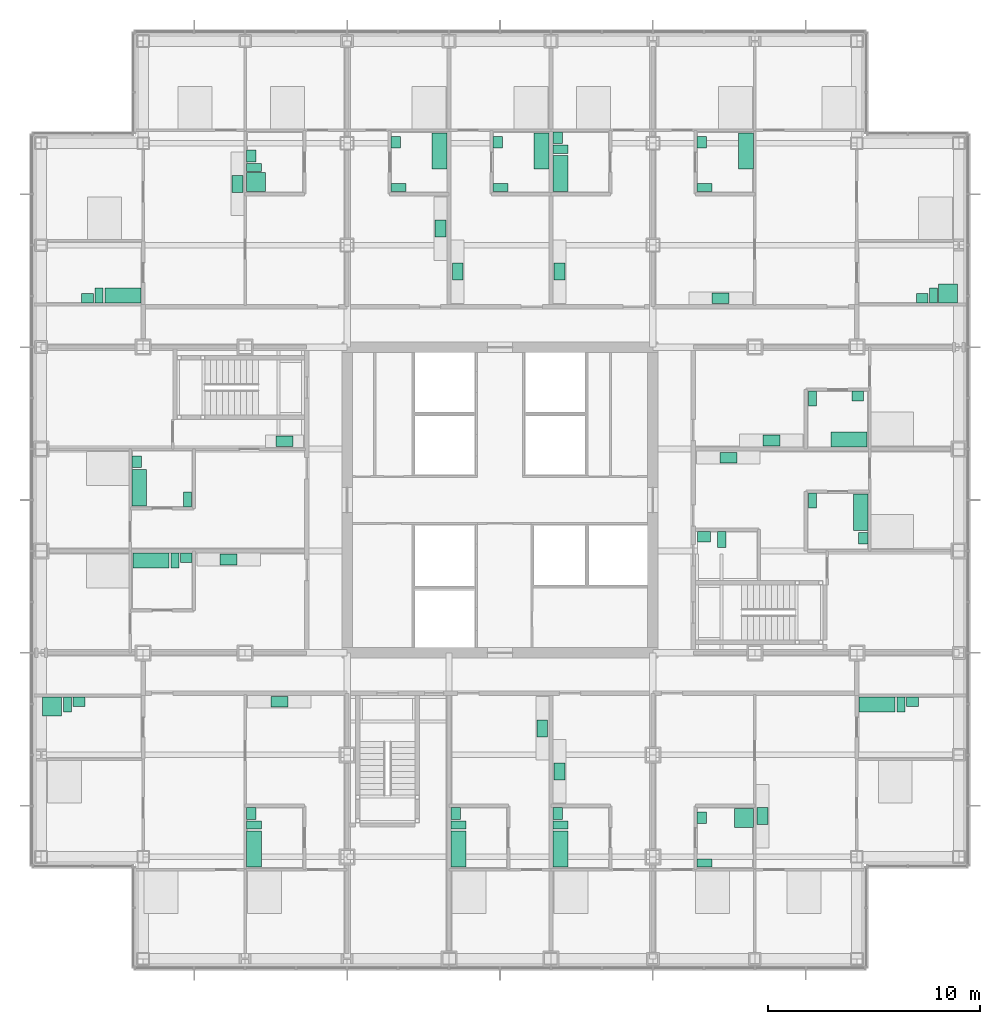
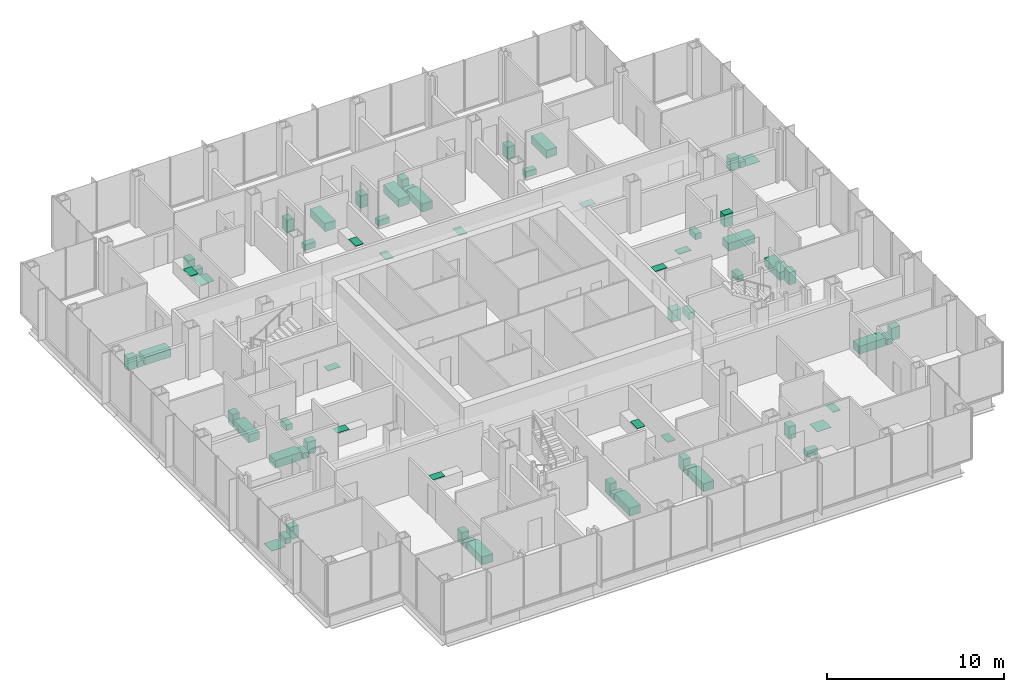
# One storey, part 20 of 21: 66 sanitary terminals.
"""IFC4 building model written with IfcOpenShell, lengths in metres."""

from ifc_helpers import new_model, si_unit, direction, frame, origin, origin_2d, place, context, subcontext, project, spatial, rectangle, extrude, material, type_object, element, save


model = new_model("IFC4")

# Units and contexts
model_context = context("Model", 3, precision=1e-05, world=origin(), true_north=direction((0.0, 1.0)))
body_context = subcontext(model_context, "Body", "Model", "MODEL_VIEW")
ifc_project = project(units=[si_unit("LENGTHUNIT", "METRE"), si_unit("AREAUNIT", "SQUARE_METRE"), si_unit("VOLUMEUNIT", "CUBIC_METRE"), si_unit("PLANEANGLEUNIT", "RADIAN"), si_unit("MASSUNIT", "GRAM", prefix="KILO")], contexts=[model_context])

# Site, building, storey
site_placement = place(None, origin())
site = spatial("IfcSite", under=ifc_project, at=site_placement, CompositionType="ELEMENT")
building_placement = place(site_placement, origin())
building = spatial("IfcBuilding", under=site, at=building_placement, Name="Kvirike Care Tower", CompositionType="ELEMENT")
storey_placement = place(building_placement, frame((0.0, 0.0, 48.0)))
storey = spatial("IfcBuildingStorey", under=building, at=storey_placement, Name="L12", CompositionType="ELEMENT", Elevation=48.0)

# Sanitary terminals
ifc_material_1 = material(Name="Vitreous china", Category="ceramic")
sanitary_terminal_type_1 = type_object("IfcSanitaryTerminalType", Name="ACCESSIBLE WASH BASIN 600 x 500", PredefinedType="WASHHANDBASIN", material=ifc_material_1)
sanitary_terminal_1_placement = place(storey_placement, frame((31.199951171875, 34.27294921875, 0.02001953125), z_axis=(0.0, 0.0, 1.0), x_axis=(1.0, 0.0, 0.0)))
element("IfcSanitaryTerminal", 1, at=sanitary_terminal_1_placement, inside=storey, type_object=sanitary_terminal_type_1, Name="Accessible wash basin L12-058", PredefinedType="WASHHANDBASIN", context=body_context, shape_type="SweptSolid", body=[
    extrude(rectangle(XDim=0.60009765625, YDim=0.5, at=origin_2d()), origin(), (0.0, 0.0, 1.0), 0.800048828125),
])
ifc_material_2 = material(Name="Vitreous china", Category="ceramic")
sanitary_terminal_type_2 = type_object("IfcSanitaryTerminalType", Name="ACCESSIBLE WC PAN 400 x 750", PredefinedType="TOILETPAN", material=ifc_material_2)
sanitary_terminal_2_placement = place(storey_placement, frame((32.050048828125, 34.14794921875, 0.02001953125), z_axis=(0.0, 0.0, 1.0), x_axis=(1.0, 0.0, 0.0)))
element("IfcSanitaryTerminal", 2, at=sanitary_terminal_2_placement, inside=storey, type_object=sanitary_terminal_type_2, Name="Accessible WC pan L12-058", PredefinedType="TOILETPAN", context=body_context, shape_type="SweptSolid", body=[
    extrude(rectangle(XDim=0.39990234375, YDim=0.75, at=origin_2d()), origin(), (0.0, 0.0, 1.0), 0.47998046875),
])
ifc_material_3 = material(Name="Enamelled steel", Category="steel")
sanitary_terminal_type_3 = type_object("IfcSanitaryTerminalType", Name="BATH 1700 x 700", PredefinedType="BATH", material=ifc_material_3)
for number, where, z_axis, x_axis, name in (
    (3, (10.011962890625, 19.56005859375, 0.02001953125), (0.0, 0.0, 1.0), (0.0, 1.0, 0.0), "Bath L12-006"),
    (4, (4.612060546875, 36.574951171875, 0.02001953125), (0.0, 0.0, 1.0), (0.0, 1.0, 0.0), "Bath L12-013"),
    (5, (5.159912109375, 33.14794921875, 0.02001953125), (0.0, 0.0, 1.0), (1.0, 0.0, 0.0), "Bath L12-017"),
    (6, (3.85009765625, 45.626953125, 0.02001953125), (0.0, 0.0, 1.0), (-1.0, 0.0, 0.0), "Bath L12-024"),
    (7, (19.652099609375, 19.56005859375, 0.02001953125), (0.0, 0.0, 1.0), (0.0, 1.0, 0.0), "Bath L12-031"),
    (8, (24.451904296875, 19.56005859375, 0.02001953125), (0.0, 0.0, 1.0), (0.0, 1.0, 0.0), "Bath L12-034"),
    (9, (24.451904296875, 51.375, 0.02001953125), (0.0, 0.0, 1.0), (0.0, 1.0, 0.0), "Bath L12-038"),
    (10, (23.548095703125, 52.43994140625, 0.02001953125), (0.0, 0.0, 1.0), (0.0, -1.0, 0.0), "Bath L12-041"),
    (11, (18.748046875, 52.43994140625, 0.02001953125), (0.0, 0.0, 1.0), (0.0, -1.0, 0.0), "Bath L12-044"),
    (12, (39.35009765625, 26.373046875, 0.02001953125), (0.0, 0.0, 1.0), (1.0, 0.0, 0.0), "Bath L12-051"),
    (13, (38.587890625, 35.425048828125, 0.02001953125), (0.0, 0.0, 1.0), (0.0, -1.0, 0.0), "Bath L12-059"),
    (14, (38.0400390625, 38.85205078125, 0.02001953125), (0.0, 0.0, 1.0), (-1.0, 0.0, 0.0), "Bath L12-062"),
    (15, (33.18798828125, 52.43994140625, 0.02001953125), (0.0, 0.0, 1.0), (0.0, -1.0, 0.0), "Bath L12-069"),
):
    element("IfcSanitaryTerminal", number, at=place(storey_placement, frame(where, z_axis=z_axis, x_axis=x_axis)), inside=storey, type_object=sanitary_terminal_type_3, Name=name, PredefinedType="BATH", context=body_context, shape_type="SweptSolid", body=[
        extrude(rectangle(XDim=1.699951171875, YDim=0.699951171875, at=origin_2d()), origin(), (0.0, 0.0, 1.0), 0.550048828125),
    ])
ifc_material_4 = material(Name="Stainless steel", Category="steel")
sanitary_terminal_type_4 = type_object("IfcSanitaryTerminalType", Name="KITCHEN SINK 800 x 500", PredefinedType="SINK", material=ifc_material_4)
for number, where, z_axis, x_axis, name in (
    (16, (11.2099609375, 26.498046875, 0.89990234375), (0.0, 0.0, 1.0), (1.0, 0.0, 0.0), "Kitchen sink L12-008"),
    (17, (11.449951171875, 38.761962890625, 0.89990234375), (0.0, 0.0, 1.0), (-1.0, 0.0, 0.0), "Kitchen sink L12-014"),
    (18, (8.824951171875, 33.197998046875, 0.89990234375), (0.0, 0.0, 1.0), (1.0, 0.0, 0.0), "Kitchen sink L12-018"),
    (19, (9.238037109375, 50.889892578125, 0.89990234375), (0.0, 0.0, 1.0), (0.0, -1.0, 0.0), "Kitchen sink L12-026"),
    (20, (23.597900390625, 25.25, 0.89990234375), (0.0, 0.0, 1.0), (0.0, -1.0, 0.0), "Kitchen sink L12-032"),
    (21, (24.402099609375, 23.22509765625, 0.89990234375), (0.0, 0.0, 1.0), (0.0, 1.0, 0.0), "Kitchen sink L12-035"),
    (22, (24.402099609375, 46.75, 0.89990234375), (0.0, 0.0, 1.0), (0.0, 1.0, 0.0), "Kitchen sink L12-039"),
    (23, (19.60205078125, 46.75, 0.89990234375), (0.0, 0.0, 1.0), (0.0, 1.0, 0.0), "Kitchen sink L12-042"),
    (24, (18.798095703125, 48.77490234375, 0.89990234375), (0.0, 0.0, 1.0), (0.0, -1.0, 0.0), "Kitchen sink L12-045"),
    (25, (33.9619140625, 21.110107421875, 0.89990234375), (0.0, 0.0, 1.0), (0.0, 1.0, 0.0), "Kitchen sink L12-053"),
    (26, (32.35009765625, 37.998046875, 0.89990234375), (0.0, 0.0, 1.0), (1.0, 0.0, 0.0), "Kitchen sink L12-060"),
    (27, (34.375, 38.802001953125, 0.89990234375), (0.0, 0.0, 1.0), (-1.0, 0.0, 0.0), "Kitchen sink L12-063"),
    (28, (31.989990234375, 45.501953125, 0.89990234375), (0.0, 0.0, 1.0), (-1.0, 0.0, 0.0), "Kitchen sink L12-071"),
):
    element("IfcSanitaryTerminal", number, at=place(storey_placement, frame(where, z_axis=z_axis, x_axis=x_axis)), inside=storey, type_object=sanitary_terminal_type_4, Name=name, PredefinedType="SINK", context=body_context, shape_type="SweptSolid", body=[
        extrude(rectangle(XDim=0.800048828125, YDim=0.5, at=origin_2d()), origin(), (0.0, 0.0, 1.0), 0.030029296875),
    ])
ifc_material_5 = material(Name="Stainless steel", Category="steel")
sanitary_terminal_type_5 = type_object("IfcSanitaryTerminalType", Name="LEVEL-ACCESS SHOWER 900 x 900", PredefinedType="SHOWER", material=ifc_material_5)
for number, where, z_axis, x_axis, name in (
    (29, (0.5, 26.27294921875, 0.02001953125), (0.0, 0.0, 1.0), (1.0, 0.0, 0.0), "Level-access shower L12-005"),
    (30, (10.112060546875, 50.97509765625, 0.02001953125), (0.0, 0.0, 1.0), (0.0, 1.0, 0.0), "Level-access shower L12-023"),
    (31, (33.087890625, 21.02490234375, 0.02001953125), (0.0, 0.0, 1.0), (0.0, -1.0, 0.0), "Level-access shower L12-050"),
    (32, (42.699951171875, 45.72705078125, 0.02001953125), (0.0, 0.0, 1.0), (-1.0, 0.0, 0.0), "Level-access shower L12-068"),
):
    element("IfcSanitaryTerminal", number, at=place(storey_placement, frame(where, z_axis=z_axis, x_axis=x_axis)), inside=storey, type_object=sanitary_terminal_type_5, Name=name, PredefinedType="SHOWER", context=body_context, shape_type="SweptSolid", body=[
        extrude(rectangle(XDim=0.89990234375, YDim=0.89990234375, at=origin_2d()), origin(), (0.0, 0.0, 1.0), 0.02001953125),
    ])
ifc_material_6 = material(Name="Vitreous china", Category="ceramic")
sanitary_terminal_type_6 = type_object("IfcSanitaryTerminalType", Name="WASH BASIN 550 x 450", PredefinedType="WASHHANDBASIN", material=ifc_material_6)
for number, where, z_axis, x_axis, name in (
    (33, (1.77490234375, 26.498046875, 0.02001953125), (0.0, 0.0, 1.0), (1.0, 0.0, 0.0), "Wash basin L12-005"),
    (34, (9.886962890625, 21.235107421875, 0.02001953125), (0.0, 0.0, 1.0), (0.0, 1.0, 0.0), "Wash basin L12-006"),
    (35, (4.487060546875, 37.800048828125, 0.02001953125), (0.0, 0.0, 1.0), (0.0, 1.0, 0.0), "Wash basin L12-013"),
    (36, (6.8349609375, 33.27294921875, 0.02001953125), (0.0, 0.0, 1.0), (1.0, 0.0, 0.0), "Wash basin L12-017"),
    (37, (9.886962890625, 52.199951171875, 0.02001953125), (0.0, 0.0, 1.0), (0.0, 1.0, 0.0), "Wash basin L12-023"),
    (38, (2.175048828125, 45.501953125, 0.02001953125), (0.0, 0.0, 1.0), (-1.0, 0.0, 0.0), "Wash basin L12-024"),
    (39, (19.527099609375, 21.235107421875, 0.02001953125), (0.0, 0.0, 1.0), (0.0, 1.0, 0.0), "Wash basin L12-031"),
    (40, (24.326904296875, 21.235107421875, 0.02001953125), (0.0, 0.0, 1.0), (0.0, 1.0, 0.0), "Wash basin L12-034"),
    (41, (24.326904296875, 53.050048828125, 0.02001953125), (0.0, 0.0, 1.0), (0.0, 1.0, 0.0), "Wash basin L12-038"),
    (42, (21.501953125, 52.85009765625, 0.02001953125), (0.0, 0.0, 1.0), (0.0, 1.0, 0.0), "Wash basin L12-041"),
    (43, (16.701904296875, 52.85009765625, 0.02001953125), (0.0, 0.0, 1.0), (0.0, 1.0, 0.0), "Wash basin L12-044"),
    (44, (31.10205078125, 21.034912109375, 0.02001953125), (0.0, 0.0, 1.0), (0.0, 1.0, 0.0), "Wash basin L12-050"),
    (45, (41.02490234375, 26.498046875, 0.02001953125), (0.0, 0.0, 1.0), (1.0, 0.0, 0.0), "Wash basin L12-051"),
    (46, (38.712890625, 34.199951171875, 0.02001953125), (0.0, 0.0, 1.0), (0.0, -1.0, 0.0), "Wash basin L12-059"),
    (47, (38.449951171875, 40.89794921875, 0.02001953125), (0.0, 0.0, 1.0), (1.0, 0.0, 0.0), "Wash basin L12-062"),
    (48, (41.47509765625, 45.501953125, 0.02001953125), (0.0, 0.0, 1.0), (-1.0, 0.0, 0.0), "Wash basin L12-068"),
    (49, (31.10205078125, 52.85009765625, 0.02001953125), (0.0, 0.0, 1.0), (0.0, 1.0, 0.0), "Wash basin L12-069"),
):
    element("IfcSanitaryTerminal", number, at=place(storey_placement, frame(where, z_axis=z_axis, x_axis=x_axis)), inside=storey, type_object=sanitary_terminal_type_6, Name=name, PredefinedType="WASHHANDBASIN", context=body_context, shape_type="SweptSolid", body=[
        extrude(rectangle(XDim=0.550048828125, YDim=0.449951171875, at=origin_2d()), origin(), (0.0, 0.0, 1.0), 0.85009765625),
    ])
ifc_material_7 = material(Name="Vitreous china", Category="ceramic")
sanitary_terminal_type_7 = type_object("IfcSanitaryTerminalType", Name="WC PAN 380 x 700", PredefinedType="TOILETPAN", material=ifc_material_7)
for number, where, z_axis, x_axis, name in (
    (50, (1.239990234375, 26.373046875, 0.02001953125), (0.0, 0.0, 1.0), (1.0, 0.0, 0.0), "WC pan L12-005"),
    (51, (10.011962890625, 20.699951171875, 0.02001953125), (0.0, 0.0, 1.0), (0.0, 1.0, 0.0), "WC pan L12-006"),
    (52, (6.885009765625, 36.027099609375, 0.02001953125), (0.0, 0.0, 1.0), (-1.0, 0.0, 0.0), "WC pan L12-013"),
    (53, (6.300048828125, 33.14794921875, 0.02001953125), (0.0, 0.0, 1.0), (1.0, 0.0, 0.0), "WC pan L12-017"),
    (54, (10.011962890625, 51.6650390625, 0.02001953125), (0.0, 0.0, 1.0), (0.0, 1.0, 0.0), "WC pan L12-023"),
    (55, (2.7099609375, 45.626953125, 0.02001953125), (0.0, 0.0, 1.0), (-1.0, 0.0, 0.0), "WC pan L12-024"),
    (56, (19.652099609375, 20.699951171875, 0.02001953125), (0.0, 0.0, 1.0), (0.0, 1.0, 0.0), "WC pan L12-031"),
    (57, (24.451904296875, 20.699951171875, 0.02001953125), (0.0, 0.0, 1.0), (0.0, 1.0, 0.0), "WC pan L12-034"),
    (58, (24.451904296875, 52.514892578125, 0.02001953125), (0.0, 0.0, 1.0), (0.0, 1.0, 0.0), "WC pan L12-038"),
    (59, (21.626953125, 50.715087890625, 0.02001953125), (0.0, 0.0, 1.0), (0.0, 1.0, 0.0), "WC pan L12-041"),
    (60, (16.826904296875, 50.715087890625, 0.02001953125), (0.0, 0.0, 1.0), (0.0, 1.0, 0.0), "WC pan L12-044"),
    (61, (31.22705078125, 18.89990234375, 0.02001953125), (0.0, 0.0, 1.0), (0.0, 1.0, 0.0), "WC pan L12-050"),
    (62, (40.489990234375, 26.373046875, 0.02001953125), (0.0, 0.0, 1.0), (1.0, 0.0, 0.0), "WC pan L12-051"),
    (63, (36.31494140625, 35.972900390625, 0.02001953125), (0.0, 0.0, 1.0), (1.0, 0.0, 0.0), "WC pan L12-059"),
    (64, (36.31494140625, 40.77294921875, 0.02001953125), (0.0, 0.0, 1.0), (1.0, 0.0, 0.0), "WC pan L12-062"),
    (65, (42.010009765625, 45.626953125, 0.02001953125), (0.0, 0.0, 1.0), (-1.0, 0.0, 0.0), "WC pan L12-068"),
    (66, (31.22705078125, 50.715087890625, 0.02001953125), (0.0, 0.0, 1.0), (0.0, 1.0, 0.0), "WC pan L12-069"),
):
    element("IfcSanitaryTerminal", number, at=place(storey_placement, frame(where, z_axis=z_axis, x_axis=x_axis)), inside=storey, type_object=sanitary_terminal_type_7, Name=name, PredefinedType="TOILETPAN", context=body_context, shape_type="SweptSolid", body=[
        extrude(rectangle(XDim=0.3798828125, YDim=0.699951171875, at=origin_2d()), origin(), (0.0, 0.0, 1.0), 0.39990234375),
    ])

save(model, "model.ifc")
